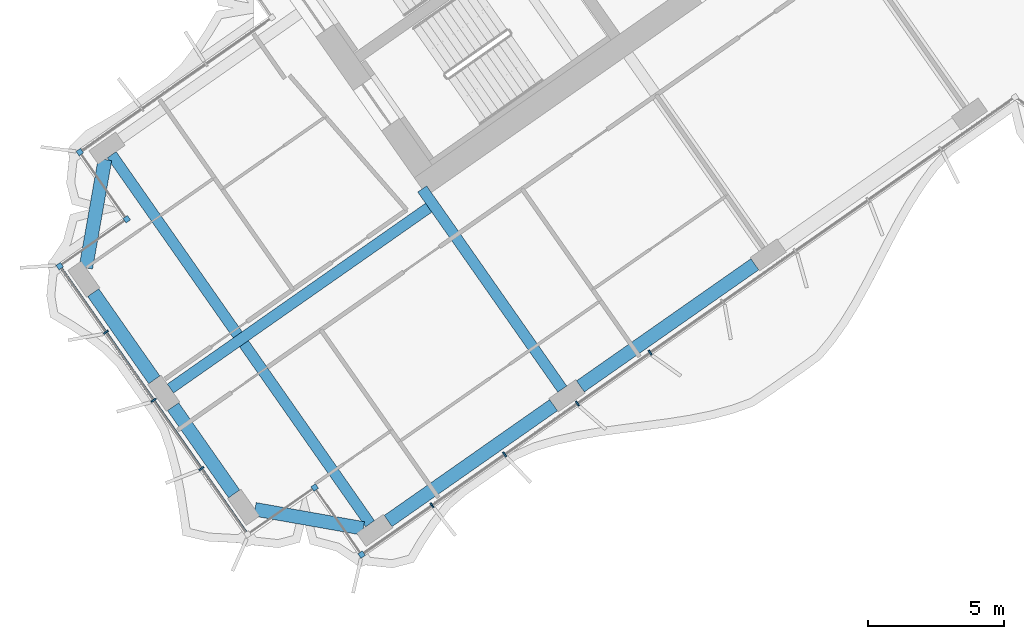
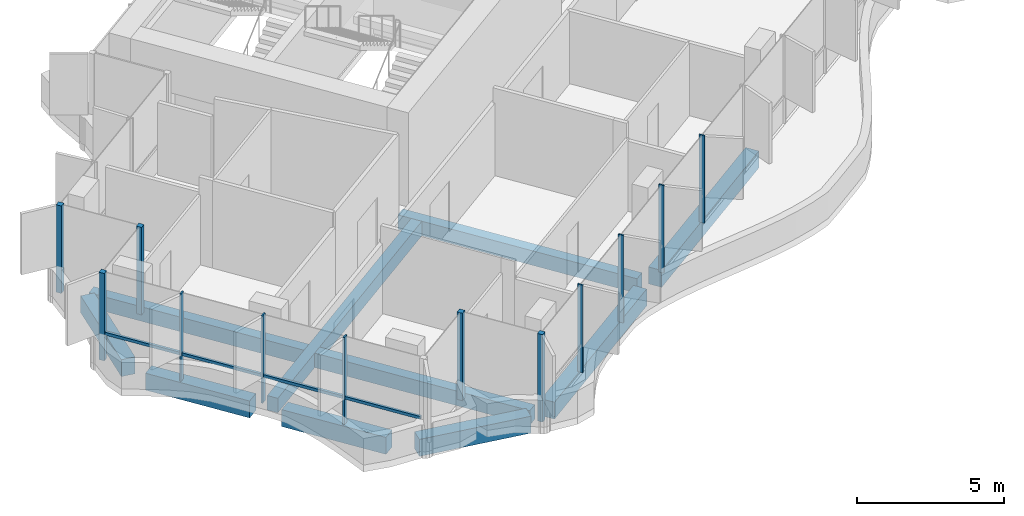
# One storey, part 2 of 21: 13 members, 9 beams, 1 element without a shape of its own.
"""IFC4 building model written with IfcOpenShell, lengths in metres."""

from ifc_helpers import new_model, si_unit, direction, frame, origin, origin_2d, place, context, subcontext, project, spatial, rectangle, extrude, material, material_profile, profile_set, type_object, element, aggregate, save


model = new_model("IFC4")

# Units and contexts
model_context = context("Model", 3, precision=1e-05, world=origin(), true_north=direction((0.0, 1.0)))
body_context = subcontext(model_context, "Body", "Model", "MODEL_VIEW")
ifc_project = project(units=[si_unit("LENGTHUNIT", "METRE"), si_unit("AREAUNIT", "SQUARE_METRE"), si_unit("VOLUMEUNIT", "CUBIC_METRE"), si_unit("PLANEANGLEUNIT", "RADIAN"), si_unit("MASSUNIT", "GRAM", prefix="KILO")], contexts=[model_context])

# Site, building, storey
site_placement = place(None, origin())
site = spatial("IfcSite", under=ifc_project, at=site_placement, CompositionType="ELEMENT")
building_placement = place(site_placement, origin())
building = spatial("IfcBuilding", under=site, at=building_placement, Name="Tel Ilan Convention Tower", CompositionType="ELEMENT")
storey_placement = place(building_placement, frame((0.0, 0.0, 210.0)))
storey = spatial("IfcBuildingStorey", under=building, at=storey_placement, Name="L49", CompositionType="ELEMENT", Elevation=210.0)

# Beams
ifc_material_1 = material(Name="Concrete C40/50", Category="concrete")
ifc_material_profile_1 = material_profile(ifc_material_1, rectangle(XDim=0.39990234375, YDim=0.60009765625, at=origin_2d()), Name="RC 400x600")
ifc_profile_set_1 = profile_set([ifc_material_profile_1], Name="Concrete C40/50")
beam_type_1 = type_object("IfcBeamType", Name="Beam RC 400x600 Concrete C40/50", PredefinedType="BEAM", material=ifc_profile_set_1)
beam_1_placement = place(storey_placement, frame((-16.58203125, -23.391357421875, -0.580078125), z_axis=(-0.573584999642, 0.819146048141, 0.0), x_axis=(-0.819146048141, -0.573584999642, 0.0)))
element("IfcBeam", 1, at=beam_1_placement, inside=storey, type_object=beam_type_1, Name="L49 beam W-W-F3-core", PredefinedType="BEAM", context=body_context, shape_type="SweptSolid", body=[
    extrude(rectangle(XDim=0.39990234375, YDim=0.60009765625, at=origin_2d()), origin(), (0.0, 0.0, 1.0), 8.949951171875),
])
beam_2_placement = place(storey_placement, frame((-21.477783203125, -16.748046875, -0.580078125), z_axis=(-0.819160415691, -0.573564480564, 0.0), x_axis=(0.573564480564, -0.819160415691, 0.0)))
element("IfcBeam", 2, at=beam_2_placement, inside=storey, type_object=beam_type_1, Name="L49 beam W-core-end", PredefinedType="BEAM", context=body_context, shape_type="SweptSolid", body=[
    extrude(rectangle(XDim=0.39990234375, YDim=0.60009765625, at=origin_2d()), origin(), (0.0, 0.0, 1.0), 11.550048828125),
])
beam_3_placement = place(storey_placement, frame((-23.626708984375, -28.32421875, -0.580078125), z_axis=(-0.573577531157, 0.819151277697, 0.0), x_axis=(-0.819151277697, -0.573577531157, 0.0)))
element("IfcBeam", 3, at=beam_3_placement, inside=storey, type_object=beam_type_1, Name="L49 beam W-W-FC-W-BC", PredefinedType="BEAM", context=body_context, shape_type="SweptSolid", body=[
    extrude(rectangle(XDim=0.39990234375, YDim=0.60009765625, at=origin_2d()), origin(), (0.0, 0.0, 1.0), 16.500244140625),
])
ifc_material_2 = material(Name="Concrete C40/50", Category="concrete")
ifc_material_profile_2 = material_profile(ifc_material_2, rectangle(XDim=0.5, YDim=0.699951171875, at=origin_2d()), Name="RC 500x700")
ifc_profile_set_2 = profile_set([ifc_material_profile_2], Name="Concrete C40/50")
beam_type_2 = type_object("IfcBeamType", Name="Beam RC 500x700 Concrete C40/50", PredefinedType="BEAM", material=ifc_profile_set_2)
beam_4_placement = place(storey_placement, frame((-9.529052734375, -18.819091796875, -0.6298828125), z_axis=(-0.819153977895, -0.573573674866, 0.0), x_axis=(0.573573674866, -0.819153977895, 0.0)))
element("IfcBeam", 4, at=beam_4_placement, inside=storey, type_object=beam_type_2, Name="L49 beam W-W-F2-W-F3", PredefinedType="BEAM", context=body_context, shape_type="SweptSolid", body=[
    extrude(rectangle(XDim=0.5, YDim=0.699951171875, at=origin_2d()), origin(), (0.0, 0.0, 1.0), 7.800048828125),
])
beam_5_placement = place(storey_placement, frame((-16.901611328125, -23.981201171875, -0.6298828125), z_axis=(-0.819148211634, -0.573581909911, 0.0), x_axis=(0.573581909911, -0.819148211634, 0.0)))
element("IfcBeam", 5, at=beam_5_placement, inside=storey, type_object=beam_type_2, Name="L49 beam W-W-F3-W-FC", PredefinedType="BEAM", context=body_context, shape_type="SweptSolid", body=[
    extrude(rectangle(XDim=0.5, YDim=0.699951171875, at=origin_2d()), origin(), (0.0, 0.0, 1.0), 7.39990234375),
])
beam_6_placement = place(storey_placement, frame((-23.87255859375, -28.49609375, -0.6298828125), z_axis=(-0.984815252405, 0.173605641124, 0.0), x_axis=(-0.173605641124, -0.984815252405, 0.0)))
element("IfcBeam", 6, at=beam_6_placement, inside=storey, type_object=beam_type_2, Name="L49 beam W-W-FC-W-E1", PredefinedType="BEAM", context=body_context, shape_type="SweptSolid", body=[
    extrude(rectangle(XDim=0.5, YDim=0.699951171875, at=origin_2d()), origin(), (0.0, 0.0, 1.0), 4.030517578125),
])
for number, where, z_axis, x_axis, name in (
    (7, (-28.603759765625, -27.231201171875, -0.6298828125), (-0.573609383536, 0.819128973434, 0.0), (-0.819128973434, -0.573609383536, 0.0), "L49 beam W-W-E1-W-E2"),
    (8, (-31.529052734375, -23.053466796875, -0.6298828125), (-0.573609383536, 0.819128973434, 0.0), (-0.819128973434, -0.573609383536, 0.0), "L49 beam W-W-E2-W-E3"),
):
    element("IfcBeam", number, at=place(storey_placement, frame(where, z_axis=z_axis, x_axis=x_axis)), inside=storey, type_object=beam_type_2, Name=name, PredefinedType="BEAM", context=body_context, shape_type="SweptSolid", body=[
        extrude(rectangle(XDim=0.5, YDim=0.699951171875, at=origin_2d()), origin(), (0.0, 0.0, 1.0), 3.89990234375),
    ])
beam_7_placement = place(storey_placement, frame((-34.036376953125, -18.949462890625, -0.6298828125), z_axis=(0.173605641124, 0.984815252405, 0.0), x_axis=(-0.984815252405, 0.173605641124, 0.0)))
element("IfcBeam", 9, at=beam_7_placement, inside=storey, type_object=beam_type_2, Name="L49 beam W-W-E3-W-BC", PredefinedType="BEAM", context=body_context, shape_type="SweptSolid", body=[
    extrude(rectangle(XDim=0.5, YDim=0.699951171875, at=origin_2d()), origin(), (0.0, 0.0, 1.0), 4.030517578125),
])

# Curtain wall, members
ifc_material_3 = material(Name="Aluminium, bronze anodised", Category="aluminium")
curtain_wall_type = type_object("IfcCurtainWallType", Name="CW4 STICK CURTAIN WALL, OFFICE TINTED GLASS", PredefinedType="NOTDEFINED", material=ifc_material_3)
curtain_wall_placement = place(storey_placement, origin())
curtain_wall = element("IfcCurtainWall", 10, at=curtain_wall_placement, inside=storey, type_object=curtain_wall_type, Name="Curtain wall CW4-38.02", PredefinedType="NOTDEFINED")
ifc_material_4 = material(Name="Aluminium, bronze anodised", Category="aluminium")
ifc_material_profile_3 = material_profile(ifc_material_4, rectangle(XDim=0.199951171875, YDim=0.199951171875, at=origin_2d()), Name="CW CORNER MULLION 200x200")
ifc_profile_set_3 = profile_set([ifc_material_profile_3], Name="Aluminium, bronze anodised")
member_type_1 = type_object("IfcMemberType", Name="CW CORNER MULLION 200x200", PredefinedType="MULLION", material=ifc_profile_set_3)
member_1_placement = place(storey_placement, frame((-34.25830078125, -14.7099609375, 0.0), z_axis=(0.0, 0.0, 1.0), x_axis=(-0.819152044289, -0.573576436351, 0.0)))
member_1 = element("IfcMember", 11, at=member_1_placement, type_object=member_type_1, Name="Corner mullion", PredefinedType="MULLION", context=body_context, shape_type="SweptSolid", body=[
    extrude(rectangle(XDim=0.199951171875, YDim=0.199951171875, at=origin_2d()), origin(), (0.0, 0.0, 1.0), 3.6201171875),
])
member_2_placement = place(storey_placement, frame((-32.53759765625, -17.16748046875, 0.0), z_axis=(0.0, 0.0, 1.0), x_axis=(0.573576436351, -0.819152044289, 0.0)))
member_2 = element("IfcMember", 12, at=member_2_placement, type_object=member_type_1, Name="Corner mullion", PredefinedType="MULLION", context=body_context, shape_type="SweptSolid", body=[
    extrude(rectangle(XDim=0.199951171875, YDim=0.199951171875, at=origin_2d()), origin(), (0.0, 0.0, 1.0), 3.6201171875),
])
member_3_placement = place(storey_placement, frame((-34.994873046875, -18.88818359375, 0.0), z_axis=(0.0, 0.0, 1.0), x_axis=(-0.819152044289, -0.573576436351, 0.0)))
member_3 = element("IfcMember", 13, at=member_3_placement, type_object=member_type_1, Name="Corner mullion", PredefinedType="MULLION", context=body_context, shape_type="SweptSolid", body=[
    extrude(rectangle(XDim=0.199951171875, YDim=0.199951171875, at=origin_2d()), origin(), (0.0, 0.0, 1.0), 3.6201171875),
])
member_4_placement = place(storey_placement, frame((-25.654541015625, -26.997314453125, 0.0), z_axis=(0.0, 0.0, 1.0), x_axis=(0.819152044289, 0.573576436351, 0.0)))
member_4 = element("IfcMember", 14, at=member_4_placement, type_object=member_type_1, Name="Corner mullion", PredefinedType="MULLION", context=body_context, shape_type="SweptSolid", body=[
    extrude(rectangle(XDim=0.199951171875, YDim=0.199951171875, at=origin_2d()), origin(), (0.0, 0.0, 1.0), 3.6201171875),
])
member_5_placement = place(storey_placement, frame((-23.933837890625, -29.454833984375, 0.0), z_axis=(0.0, 0.0, 1.0), x_axis=(0.573576436351, -0.819152044289, 0.0)))
member_5 = element("IfcMember", 15, at=member_5_placement, type_object=member_type_1, Name="Corner mullion", PredefinedType="MULLION", context=body_context, shape_type="SweptSolid", body=[
    extrude(rectangle(XDim=0.199951171875, YDim=0.199951171875, at=origin_2d()), origin(), (0.0, 0.0, 1.0), 3.6201171875),
])
ifc_material_5 = material(Name="Aluminium, bronze anodised", Category="aluminium")
ifc_material_profile_4 = material_profile(ifc_material_5, rectangle(XDim=0.06005859375, YDim=0.199951171875, at=origin_2d()), Name="CW MULLION 60x200")
ifc_profile_set_4 = profile_set([ifc_material_profile_4], Name="Aluminium, bronze anodised")
member_type_2 = type_object("IfcMemberType", Name="CW MULLION 60x200", PredefinedType="MULLION", material=ifc_profile_set_4)
member_6_placement = place(storey_placement, frame((-33.302978515625, -21.3046875, 0.0), z_axis=(0.0, 0.0, 1.0), x_axis=(0.573576436351, -0.819152044289, 0.0)))
member_6 = element("IfcMember", 16, at=member_6_placement, type_object=member_type_2, Name="Mullion", PredefinedType="MULLION", context=body_context, shape_type="SweptSolid", body=[
    extrude(rectangle(XDim=0.06005859375, YDim=0.199951171875, at=origin_2d()), origin(), (0.0, 0.0, 1.0), 3.6201171875),
])
member_7_placement = place(storey_placement, frame((-31.553466796875, -23.802978515625, 0.0), z_axis=(0.0, 0.0, 1.0), x_axis=(0.573576436351, -0.819152044289, 0.0)))
member_7 = element("IfcMember", 17, at=member_7_placement, type_object=member_type_2, Name="Mullion", PredefinedType="MULLION", context=body_context, shape_type="SweptSolid", body=[
    extrude(rectangle(XDim=0.06005859375, YDim=0.199951171875, at=origin_2d()), origin(), (0.0, 0.0, 1.0), 3.6201171875),
])
member_8_placement = place(storey_placement, frame((-29.80419921875, -26.301513671875, 0.0), z_axis=(0.0, 0.0, 1.0), x_axis=(0.573576436351, -0.819152044289, 0.0)))
member_8 = element("IfcMember", 18, at=member_8_placement, type_object=member_type_2, Name="Mullion", PredefinedType="MULLION", context=body_context, shape_type="SweptSolid", body=[
    extrude(rectangle(XDim=0.06005859375, YDim=0.199951171875, at=origin_2d()), origin(), (0.0, 0.0, 1.0), 3.6201171875),
])
member_9_placement = place(storey_placement, frame((-21.353759765625, -27.648193359375, 0.0), z_axis=(0.0, 0.0, 1.0), x_axis=(0.819152044289, 0.573576436351, 0.0)))
member_9 = element("IfcMember", 19, at=member_9_placement, type_object=member_type_2, Name="Mullion", PredefinedType="MULLION", context=body_context, shape_type="SweptSolid", body=[
    extrude(rectangle(XDim=0.06005859375, YDim=0.199951171875, at=origin_2d()), origin(), (0.0, 0.0, 1.0), 3.6201171875),
])
member_10_placement = place(storey_placement, frame((-18.691650390625, -25.7841796875, 0.0), z_axis=(0.0, 0.0, 1.0), x_axis=(0.819152044289, 0.573576436351, 0.0)))
member_10 = element("IfcMember", 20, at=member_10_placement, type_object=member_type_2, Name="Mullion", PredefinedType="MULLION", context=body_context, shape_type="SweptSolid", body=[
    extrude(rectangle(XDim=0.06005859375, YDim=0.199951171875, at=origin_2d()), origin(), (0.0, 0.0, 1.0), 3.6201171875),
])
member_11_placement = place(storey_placement, frame((-16.029541015625, -23.920166015625, 0.0), z_axis=(0.0, 0.0, 1.0), x_axis=(0.819152044289, 0.573576436351, 0.0)))
member_11 = element("IfcMember", 21, at=member_11_placement, type_object=member_type_2, Name="Mullion", PredefinedType="MULLION", context=body_context, shape_type="SweptSolid", body=[
    extrude(rectangle(XDim=0.06005859375, YDim=0.199951171875, at=origin_2d()), origin(), (0.0, 0.0, 1.0), 3.6201171875),
])
member_12_placement = place(storey_placement, frame((-13.36767578125, -22.05615234375, 0.0), z_axis=(0.0, 0.0, 1.0), x_axis=(0.819152044289, 0.573576436351, 0.0)))
member_12 = element("IfcMember", 22, at=member_12_placement, type_object=member_type_2, Name="Mullion", PredefinedType="MULLION", context=body_context, shape_type="SweptSolid", body=[
    extrude(rectangle(XDim=0.06005859375, YDim=0.199951171875, at=origin_2d()), origin(), (0.0, 0.0, 1.0), 3.6201171875),
])
ifc_material_6 = material(Name="Aluminium, bronze anodised", Category="aluminium")
ifc_material_profile_5 = material_profile(ifc_material_6, rectangle(XDim=0.10009765625, YDim=0.1201171875, at=origin_2d()), Name="CW TRANSOM 100x120")
ifc_profile_set_5 = profile_set([ifc_material_profile_5], Name="Aluminium, bronze anodised")
member_type_3 = type_object("IfcMemberType", Name="CW TRANSOM 100x120", PredefinedType="USERDEFINED", material=ifc_profile_set_5)
member_13_placement = place(storey_placement, frame((-34.9375, -18.969970703125, 1.10009765625), z_axis=(0.573567872435, -0.819158040741, 0.0), x_axis=(0.819158040741, 0.573567872435, 0.0)))
member_13 = element("IfcMember", 23, at=member_13_placement, type_object=member_type_3, Name="Transom", ObjectType="TRANSOM", PredefinedType="USERDEFINED", context=body_context, shape_type="SweptSolid", body=[
    extrude(rectangle(XDim=0.10009765625, YDim=0.1201171875, at=origin_2d()), origin(), (0.0, 0.0, 1.0), 11.800048828125),
])
aggregate(curtain_wall, [member_1, member_2, member_3, member_6, member_7, member_8, member_13, member_4, member_5, member_9, member_10, member_11, member_12])

save(model, "model.ifc")
